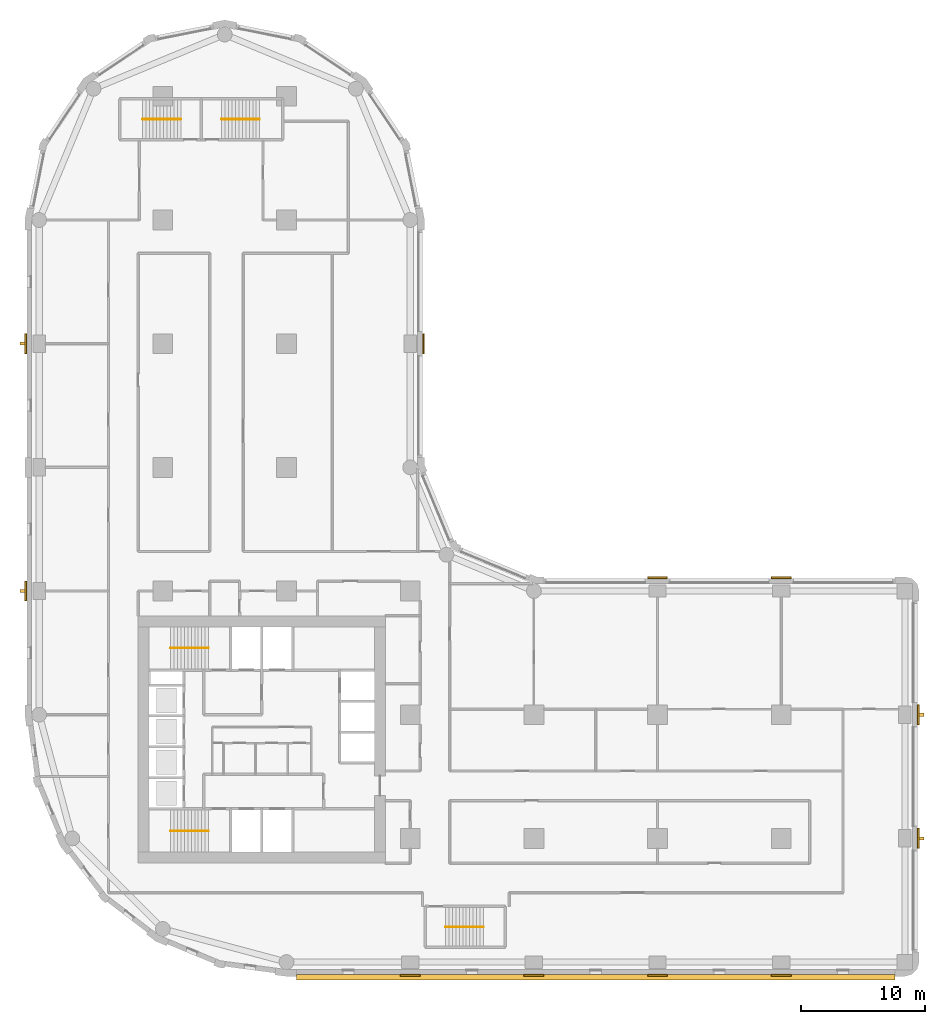
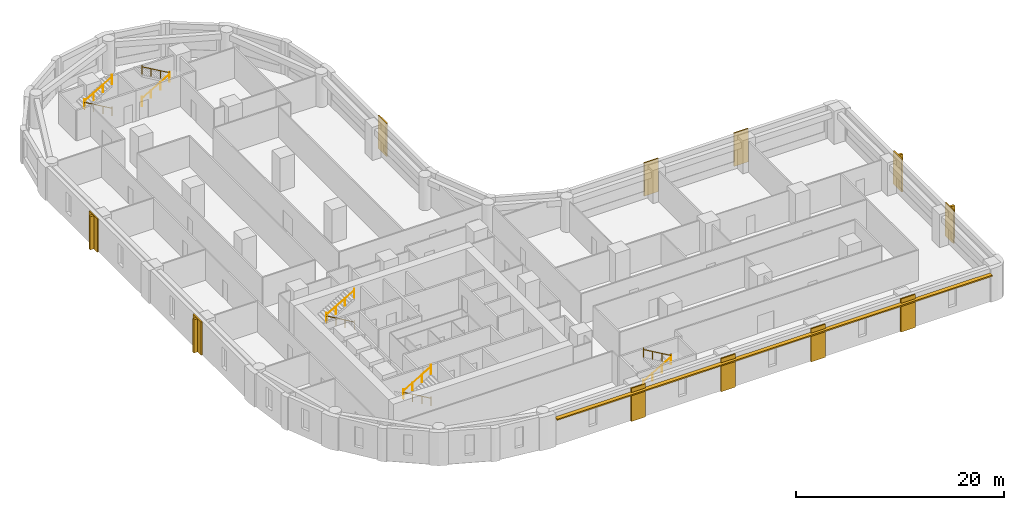
# One storey, part 9 of 10: 11 coverings, 10 railings, 5 shading devices.
"""IFC4 building model written with IfcOpenShell, lengths in metres."""

from ifc_helpers import new_model, si_unit, direction, frame, origin, origin_2d, place, context, subcontext, project, spatial, polyline, rectangle, circle, outline, extrude, material, layer, layer_set, type_object, element, save


model = new_model("IFC4")

# Units and contexts
model_context = context("Model", 3, precision=1e-05, world=origin(), true_north=direction((0.0, 1.0)))
body_context = subcontext(model_context, "Body", "Model", "MODEL_VIEW")
ifc_project = project(units=[si_unit("LENGTHUNIT", "METRE"), si_unit("AREAUNIT", "SQUARE_METRE"), si_unit("VOLUMEUNIT", "CUBIC_METRE"), si_unit("PLANEANGLEUNIT", "RADIAN"), si_unit("MASSUNIT", "GRAM", prefix="KILO")], contexts=[model_context])

# Site, building, storey
site_placement = place(None, origin())
site = spatial("IfcSite", under=ifc_project, at=site_placement, CompositionType="ELEMENT")
building_placement = place(site_placement, origin())
building = spatial("IfcBuilding", under=site, at=building_placement, Name="Qaws Garden Tower", CompositionType="ELEMENT")
storey_placement = place(building_placement, frame((0.0, 0.0, 78.300048828125)))
storey = spatial("IfcBuildingStorey", under=building, at=storey_placement, Name="L19", CompositionType="ELEMENT", Elevation=78.300048828125)

# Coverings
ifc_material_1 = material(Name="Clay facing brick masonry", Category="masonry")
ifc_layer_1 = layer(ifc_material_1, 0.14990234375)
ifc_layer_set_1 = layer_set([ifc_layer_1], Name="Clay facing brick masonry")
covering_type = type_object("IfcCoveringType", Name="Brick pilaster facing 150 x 1600", PredefinedType="CLADDING", material=ifc_layer_set_1)
placement = place(storey_placement, origin())
element("IfcCovering", 1, at=placement, inside=storey, type_object=covering_type, Name="E-L19-pier-01", PredefinedType="CLADDING", context=body_context, shape_type="SweptSolid", body=[
    extrude(outline(polyline([(29.199951171875, -1.0), (30.800048828125, -1.0), (30.800048828125, -1.14990234375), (29.199951171875, -1.14990234375), (29.199951171875, -1.0)])), origin(), (0.0, 0.0, 1.0), 3.89990234375),
])
element("IfcCovering", 2, at=placement, inside=storey, type_object=covering_type, Name="E-L19-pier-02", PredefinedType="CLADDING", context=body_context, shape_type="SweptSolid", body=[
    extrude(outline(polyline([(39.199951171875, -1.0), (40.800048828125, -1.0), (40.800048828125, -1.14990234375), (39.199951171875, -1.14990234375), (39.199951171875, -1.0)])), origin(), (0.0, 0.0, 1.0), 3.89990234375),
])
element("IfcCovering", 3, at=placement, inside=storey, type_object=covering_type, Name="E-L19-pier-03", PredefinedType="CLADDING", context=body_context, shape_type="SweptSolid", body=[
    extrude(outline(polyline([(49.199951171875, -1.0), (50.800048828125, -1.0), (50.800048828125, -1.14990234375), (49.199951171875, -1.14990234375), (49.199951171875, -1.0)])), origin(), (0.0, 0.0, 1.0), 3.89990234375),
])
element("IfcCovering", 4, at=placement, inside=storey, type_object=covering_type, Name="E-L19-pier-04", PredefinedType="CLADDING", context=body_context, shape_type="SweptSolid", body=[
    extrude(outline(polyline([(59.199951171875, -1.0), (60.800048828125, -1.0), (60.800048828125, -1.14990234375), (59.199951171875, -1.14990234375), (59.199951171875, -1.0)])), origin(), (0.0, 0.0, 1.0), 3.89990234375),
])
element("IfcCovering", 5, at=placement, inside=storey, type_object=covering_type, Name="E-L19-pier-06", PredefinedType="CLADDING", context=body_context, shape_type="SweptSolid", body=[
    extrude(outline(polyline([(71.0, 9.199951171875), (71.0, 10.800048828125), (71.14990234375, 10.800048828125), (71.14990234375, 9.199951171875), (71.0, 9.199951171875)])), origin(), (0.0, 0.0, 1.0), 3.89990234375),
])
element("IfcCovering", 6, at=placement, inside=storey, type_object=covering_type, Name="E-L19-pier-07", PredefinedType="CLADDING", context=body_context, shape_type="SweptSolid", body=[
    extrude(outline(polyline([(71.0, 19.199951171875), (71.0, 20.800048828125), (71.14990234375, 20.800048828125), (71.14990234375, 19.199951171875), (71.0, 19.199951171875)])), origin(), (0.0, 0.0, 1.0), 3.89990234375),
])
element("IfcCovering", 7, at=placement, inside=storey, type_object=covering_type, Name="E-L19-pier-09", PredefinedType="CLADDING", context=body_context, shape_type="SweptSolid", body=[
    extrude(outline(polyline([(60.800048828125, 31.0), (59.199951171875, 31.0), (59.199951171875, 31.14990234375), (60.800048828125, 31.14990234375), (60.800048828125, 31.0)])), origin(), (0.0, 0.0, 1.0), 3.89990234375),
])
element("IfcCovering", 8, at=placement, inside=storey, type_object=covering_type, Name="E-L19-pier-10", PredefinedType="CLADDING", context=body_context, shape_type="SweptSolid", body=[
    extrude(outline(polyline([(50.800048828125, 31.0), (49.199951171875, 31.0), (49.199951171875, 31.14990234375), (50.800048828125, 31.14990234375), (50.800048828125, 31.0)])), origin(), (0.0, 0.0, 1.0), 3.89990234375),
])
element("IfcCovering", 9, at=placement, inside=storey, type_object=covering_type, Name="E-L19-pier-14", PredefinedType="CLADDING", context=body_context, shape_type="SweptSolid", body=[
    extrude(outline(polyline([(31.0, 49.199951171875), (31.0, 50.800048828125), (31.14990234375, 50.800048828125), (31.14990234375, 49.199951171875), (31.0, 49.199951171875)])), origin(), (0.0, 0.0, 1.0), 3.89990234375),
])
element("IfcCovering", 10, at=placement, inside=storey, type_object=covering_type, Name="E-L19-pier-24", PredefinedType="CLADDING", context=body_context, shape_type="SweptSolid", body=[
    extrude(outline(polyline([(-1.0, 50.800048828125), (-1.0, 49.199951171875), (-1.14990234375, 49.199951171875), (-1.14990234375, 50.800048828125), (-1.0, 50.800048828125)])), origin(), (0.0, 0.0, 1.0), 3.89990234375),
])
element("IfcCovering", 11, at=placement, inside=storey, type_object=covering_type, Name="E-L19-pier-26", PredefinedType="CLADDING", context=body_context, shape_type="SweptSolid", body=[
    extrude(outline(polyline([(-1.0, 30.800048828125), (-1.0, 29.199951171875), (-1.14990234375, 29.199951171875), (-1.14990234375, 30.800048828125), (-1.0, 30.800048828125)])), origin(), (0.0, 0.0, 1.0), 3.89990234375),
])

# Shading devices
ifc_material_2 = material(Name="Clay facing brick masonry", Category="masonry")
ifc_layer_2 = layer(ifc_material_2, 0.14990234375)
ifc_layer_set_2 = layer_set([ifc_layer_2], Name="Clay facing brick masonry")
shading_device_type_1 = type_object("IfcShadingDeviceType", Name="Brick sunshade band 450 x 150", PredefinedType="JALOUSIE", material=ifc_layer_set_2)
shading_device_placement = place(storey_placement, frame((0.0, 0.0, 3.25)))
element("IfcShadingDevice", 12, at=shading_device_placement, inside=storey, type_object=shading_device_type_1, Name="SUNSHADE 00", PredefinedType="JALOUSIE", context=body_context, shape_type="SweptSolid", body=[
    extrude(outline(polyline([(20.800048828125, -1.0), (20.800048828125, -1.449951171875), (69.199951171875, -1.449951171875), (69.199951171875, -1.0), (60.800048828125, -1.0), (60.800048828125, -1.14990234375), (59.199951171875, -1.14990234375), (59.199951171875, -1.0), (50.800048828125, -1.0), (50.800048828125, -1.14990234375), (49.199951171875, -1.14990234375), (49.199951171875, -1.0), (40.800048828125, -1.0), (40.800048828125, -1.14990234375), (39.199951171875, -1.14990234375), (39.199951171875, -1.0), (30.800048828125, -1.0), (30.800048828125, -1.14990234375), (29.199951171875, -1.14990234375), (29.199951171875, -1.0), (20.800048828125, -1.0)])), origin(), (0.0, 0.0, 1.0), 0.14990234375),
])
ifc_material_3 = material(Name="Clay facing brick masonry", Category="masonry")
ifc_layer_3 = layer(ifc_material_3, 0.25)
ifc_layer_set_3 = layer_set([ifc_layer_3], Name="Clay facing brick masonry")
shading_device_type_2 = type_object("IfcShadingDeviceType", Name="Brick-faced fin 250 x 400", PredefinedType="USERDEFINED", material=ifc_layer_set_3)
for number, where, z_axis, x_axis, name in (
    (13, (71.35009765625, 10.0, 0.0), (0.0, 0.0, 1.0), (0.0, 1.0, 0.0), "FIN 06"),
    (14, (71.35009765625, 20.0, 0.0), (0.0, 0.0, 1.0), (0.0, 1.0, 0.0), "FIN 07"),
    (15, (-1.35009765625, 50.0, 0.0), (0.0, 0.0, 1.0), (0.0, -1.0, 0.0), "FIN 24"),
    (16, (-1.35009765625, 30.0, 0.0), (0.0, 0.0, 1.0), (0.0, -1.0, 0.0), "FIN 26"),
):
    element("IfcShadingDevice", number, at=place(storey_placement, frame(where, z_axis=z_axis, x_axis=x_axis)), inside=storey, type_object=shading_device_type_2, Name=name, ObjectType="FIN", PredefinedType="USERDEFINED", context=body_context, shape_type="SweptSolid", body=[
        extrude(rectangle(XDim=0.25, YDim=0.39990234375, at=origin_2d()), origin(), (0.0, 0.0, 1.0), 3.89990234375),
    ])

# Railings
ifc_material_4 = material(Name="Steel S355", Category="steel")
railing_type = type_object("IfcRailingType", Name="Stair handrail 900", PredefinedType="HANDRAIL", material=ifc_material_4)
railing_1_placement = place(storey_placement, frame((13.699951171875, 10.60009765625, 0.162353515625)))
element("IfcRailing", 17, at=railing_1_placement, inside=storey, type_object=railing_type, Name="Stair 1 handrail", PredefinedType="HANDRAIL", context=body_context, shape_type="SweptSolid", body=[
    extrude(circle(Radius=0.02392578125, at=origin_2d()), frame((0.0, 0.0, 0.8759765625), z_axis=(-0.864873446163, 0.0, 0.501989962173), x_axis=(0.0, -1.0, 0.0)), (0.0, 0.0, 1.0), 3.56103515625),
    extrude(circle(Radius=0.02099609375, at=origin_2d()), origin(), (0.0, 0.0, 1.0), 1.06201171875),
    extrude(circle(Radius=0.02099609375, at=origin_2d()), frame((-1.026611328125, 0.0, 0.595947265625)), (0.0, 0.0, 1.0), 0.851806640625),
    extrude(circle(Radius=0.02099609375, at=origin_2d()), frame((-2.05322265625, 0.0, 1.191650390625)), (0.0, 0.0, 1.0), 0.851806640625),
    extrude(circle(Radius=0.02099609375, at=origin_2d()), frame((-3.079833984375, 0.0, 1.78759765625)), (0.0, 0.0, 1.0), 1.06201171875),
])
railing_2_placement = place(storey_placement, frame((10.6201171875, 10.60009765625, 2.112548828125)))
element("IfcRailing", 18, at=railing_2_placement, inside=storey, type_object=railing_type, Name="Stair 1 handrail", PredefinedType="HANDRAIL", context=body_context, shape_type="SweptSolid", body=[
    extrude(circle(Radius=0.02392578125, at=origin_2d()), frame((0.0, 0.0, 0.8759765625), z_axis=(0.864903211148, 0.0, 0.501938676878), x_axis=(0.0, 1.0, 0.0)), (0.0, 0.0, 1.0), 3.560791015625),
    extrude(circle(Radius=0.02099609375, at=origin_2d()), origin(), (0.0, 0.0, 1.0), 1.06201171875),
    extrude(circle(Radius=0.02099609375, at=origin_2d()), frame((1.026611328125, 0.0, 0.595703125)), (0.0, 0.0, 1.0), 0.851806640625),
    extrude(circle(Radius=0.02099609375, at=origin_2d()), frame((2.05322265625, 0.0, 1.191650390625)), (0.0, 0.0, 1.0), 0.851806640625),
    extrude(circle(Radius=0.02099609375, at=origin_2d()), frame((3.079833984375, 0.0, 1.787353515625)), (0.0, 0.0, 1.0), 1.06201171875),
])
railing_3_placement = place(storey_placement, frame((13.699951171875, 25.39990234375, 0.162353515625)))
element("IfcRailing", 19, at=railing_3_placement, inside=storey, type_object=railing_type, Name="Stair 4 handrail", PredefinedType="HANDRAIL", context=body_context, shape_type="SweptSolid", body=[
    extrude(circle(Radius=0.02392578125, at=origin_2d()), frame((0.0, 0.0, 0.8759765625), z_axis=(-0.864873446163, 0.0, 0.501989962173), x_axis=(0.0, -1.0, 0.0)), (0.0, 0.0, 1.0), 3.56103515625),
    extrude(circle(Radius=0.02099609375, at=origin_2d()), origin(), (0.0, 0.0, 1.0), 1.06201171875),
    extrude(circle(Radius=0.02099609375, at=origin_2d()), frame((-1.026611328125, 0.0, 0.595947265625)), (0.0, 0.0, 1.0), 0.851806640625),
    extrude(circle(Radius=0.02099609375, at=origin_2d()), frame((-2.05322265625, 0.0, 1.191650390625)), (0.0, 0.0, 1.0), 0.851806640625),
    extrude(circle(Radius=0.02099609375, at=origin_2d()), frame((-3.079833984375, 0.0, 1.78759765625)), (0.0, 0.0, 1.0), 1.06201171875),
])
railing_4_placement = place(storey_placement, frame((10.6201171875, 25.39990234375, 2.112548828125)))
element("IfcRailing", 20, at=railing_4_placement, inside=storey, type_object=railing_type, Name="Stair 4 handrail", PredefinedType="HANDRAIL", context=body_context, shape_type="SweptSolid", body=[
    extrude(circle(Radius=0.02392578125, at=origin_2d()), frame((0.0, 0.0, 0.8759765625), z_axis=(0.864903211148, 0.0, 0.501938676878), x_axis=(0.0, 1.0, 0.0)), (0.0, 0.0, 1.0), 3.560791015625),
    extrude(circle(Radius=0.02099609375, at=origin_2d()), origin(), (0.0, 0.0, 1.0), 1.06201171875),
    extrude(circle(Radius=0.02099609375, at=origin_2d()), frame((1.026611328125, 0.0, 0.595703125)), (0.0, 0.0, 1.0), 0.851806640625),
    extrude(circle(Radius=0.02099609375, at=origin_2d()), frame((2.05322265625, 0.0, 1.191650390625)), (0.0, 0.0, 1.0), 0.851806640625),
    extrude(circle(Radius=0.02099609375, at=origin_2d()), frame((3.079833984375, 0.0, 1.787353515625)), (0.0, 0.0, 1.0), 1.06201171875),
])
railing_5_placement = place(storey_placement, frame((32.85009765625, 2.85009765625, 0.162353515625)))
element("IfcRailing", 21, at=railing_5_placement, inside=storey, type_object=railing_type, Name="Stair 5 handrail", PredefinedType="HANDRAIL", context=body_context, shape_type="SweptSolid", body=[
    extrude(circle(Radius=0.02392578125, at=origin_2d()), frame((0.0, 0.0, 0.8759765625), z_axis=(0.864873446163, 0.0, 0.501989962173), x_axis=(0.0, 1.0, 0.0)), (0.0, 0.0, 1.0), 3.56103515625),
    extrude(circle(Radius=0.02099609375, at=origin_2d()), origin(), (0.0, 0.0, 1.0), 1.06201171875),
    extrude(circle(Radius=0.02099609375, at=origin_2d()), frame((1.026611328125, 0.0, 0.595947265625)), (0.0, 0.0, 1.0), 0.851806640625),
    extrude(circle(Radius=0.02099609375, at=origin_2d()), frame((2.05322265625, 0.0, 1.191650390625)), (0.0, 0.0, 1.0), 0.851806640625),
    extrude(circle(Radius=0.02099609375, at=origin_2d()), frame((3.079833984375, 0.0, 1.78759765625)), (0.0, 0.0, 1.0), 1.06201171875),
])
railing_6_placement = place(storey_placement, frame((35.929931640625, 2.85009765625, 2.112548828125)))
element("IfcRailing", 22, at=railing_6_placement, inside=storey, type_object=railing_type, Name="Stair 5 handrail", PredefinedType="HANDRAIL", context=body_context, shape_type="SweptSolid", body=[
    extrude(circle(Radius=0.02392578125, at=origin_2d()), frame((0.0, 0.0, 0.8759765625), z_axis=(-0.864903211148, 0.0, 0.501938676878), x_axis=(0.0, -1.0, 0.0)), (0.0, 0.0, 1.0), 3.560791015625),
    extrude(circle(Radius=0.02099609375, at=origin_2d()), origin(), (0.0, 0.0, 1.0), 1.06201171875),
    extrude(circle(Radius=0.02099609375, at=origin_2d()), frame((-1.026611328125, 0.0, 0.595703125)), (0.0, 0.0, 1.0), 0.851806640625),
    extrude(circle(Radius=0.02099609375, at=origin_2d()), frame((-2.05322265625, 0.0, 1.191650390625)), (0.0, 0.0, 1.0), 0.851806640625),
    extrude(circle(Radius=0.02099609375, at=origin_2d()), frame((-3.079833984375, 0.0, 1.787353515625)), (0.0, 0.0, 1.0), 1.06201171875),
])
railing_7_placement = place(storey_placement, frame((11.449951171875, 68.14990234375, 0.162353515625)))
element("IfcRailing", 23, at=railing_7_placement, inside=storey, type_object=railing_type, Name="Stair 6 handrail", PredefinedType="HANDRAIL", context=body_context, shape_type="SweptSolid", body=[
    extrude(circle(Radius=0.02392578125, at=origin_2d()), frame((0.0, 0.0, 0.8759765625), z_axis=(-0.864873446163, 0.0, 0.501989962173), x_axis=(0.0, -1.0, 0.0)), (0.0, 0.0, 1.0), 3.56103515625),
    extrude(circle(Radius=0.02099609375, at=origin_2d()), origin(), (0.0, 0.0, 1.0), 1.06201171875),
    extrude(circle(Radius=0.02099609375, at=origin_2d()), frame((-1.026611328125, 0.0, 0.595947265625)), (0.0, 0.0, 1.0), 0.851806640625),
    extrude(circle(Radius=0.02099609375, at=origin_2d()), frame((-2.05322265625, 0.0, 1.191650390625)), (0.0, 0.0, 1.0), 0.851806640625),
    extrude(circle(Radius=0.02099609375, at=origin_2d()), frame((-3.079833984375, 0.0, 1.78759765625)), (0.0, 0.0, 1.0), 1.06201171875),
])
railing_8_placement = place(storey_placement, frame((8.3701171875, 68.14990234375, 2.112548828125)))
element("IfcRailing", 24, at=railing_8_placement, inside=storey, type_object=railing_type, Name="Stair 6 handrail", PredefinedType="HANDRAIL", context=body_context, shape_type="SweptSolid", body=[
    extrude(circle(Radius=0.02392578125, at=origin_2d()), frame((0.0, 0.0, 0.8759765625), z_axis=(0.864903211148, 0.0, 0.501938676878), x_axis=(0.0, 1.0, 0.0)), (0.0, 0.0, 1.0), 3.560791015625),
    extrude(circle(Radius=0.02099609375, at=origin_2d()), origin(), (0.0, 0.0, 1.0), 1.06201171875),
    extrude(circle(Radius=0.02099609375, at=origin_2d()), frame((1.026611328125, 0.0, 0.595703125)), (0.0, 0.0, 1.0), 0.851806640625),
    extrude(circle(Radius=0.02099609375, at=origin_2d()), frame((2.05322265625, 0.0, 1.191650390625)), (0.0, 0.0, 1.0), 0.851806640625),
    extrude(circle(Radius=0.02099609375, at=origin_2d()), frame((3.079833984375, 0.0, 1.787353515625)), (0.0, 0.0, 1.0), 1.06201171875),
])
railing_9_placement = place(storey_placement, frame((14.75, 68.14990234375, 0.162353515625)))
element("IfcRailing", 25, at=railing_9_placement, inside=storey, type_object=railing_type, Name="Stair 7 handrail", PredefinedType="HANDRAIL", context=body_context, shape_type="SweptSolid", body=[
    extrude(circle(Radius=0.02392578125, at=origin_2d()), frame((0.0, 0.0, 0.8759765625), z_axis=(0.864890721111, 0.0, 0.501960198159), x_axis=(0.0, 1.0, 0.0)), (0.0, 0.0, 1.0), 3.561279296875),
    extrude(circle(Radius=0.02099609375, at=origin_2d()), origin(), (0.0, 0.0, 1.0), 1.06201171875),
    extrude(circle(Radius=0.02099609375, at=origin_2d()), frame((1.026611328125, 0.0, 0.595947265625)), (0.0, 0.0, 1.0), 0.851806640625),
    extrude(circle(Radius=0.02099609375, at=origin_2d()), frame((2.053466796875, 0.0, 1.191650390625)), (0.0, 0.0, 1.0), 0.851806640625),
    extrude(circle(Radius=0.02099609375, at=origin_2d()), frame((3.080078125, 0.0, 1.78759765625)), (0.0, 0.0, 1.0), 1.06201171875),
])
railing_10_placement = place(storey_placement, frame((17.830078125, 68.14990234375, 2.112548828125)))
element("IfcRailing", 26, at=railing_10_placement, inside=storey, type_object=railing_type, Name="Stair 7 handrail", PredefinedType="HANDRAIL", context=body_context, shape_type="SweptSolid", body=[
    extrude(circle(Radius=0.02392578125, at=origin_2d()), frame((0.0, 0.0, 0.8759765625), z_axis=(-0.864920483161, 0.0, 0.501908913857), x_axis=(0.0, -1.0, 0.0)), (0.0, 0.0, 1.0), 3.56103515625),
    extrude(circle(Radius=0.02099609375, at=origin_2d()), origin(), (0.0, 0.0, 1.0), 1.06201171875),
    extrude(circle(Radius=0.02099609375, at=origin_2d()), frame((-1.026611328125, 0.0, 0.595703125)), (0.0, 0.0, 1.0), 0.851806640625),
    extrude(circle(Radius=0.02099609375, at=origin_2d()), frame((-2.053466796875, 0.0, 1.191650390625)), (0.0, 0.0, 1.0), 0.851806640625),
    extrude(circle(Radius=0.02099609375, at=origin_2d()), frame((-3.080078125, 0.0, 1.787353515625)), (0.0, 0.0, 1.0), 1.06201171875),
])

save(model, "model.ifc")
